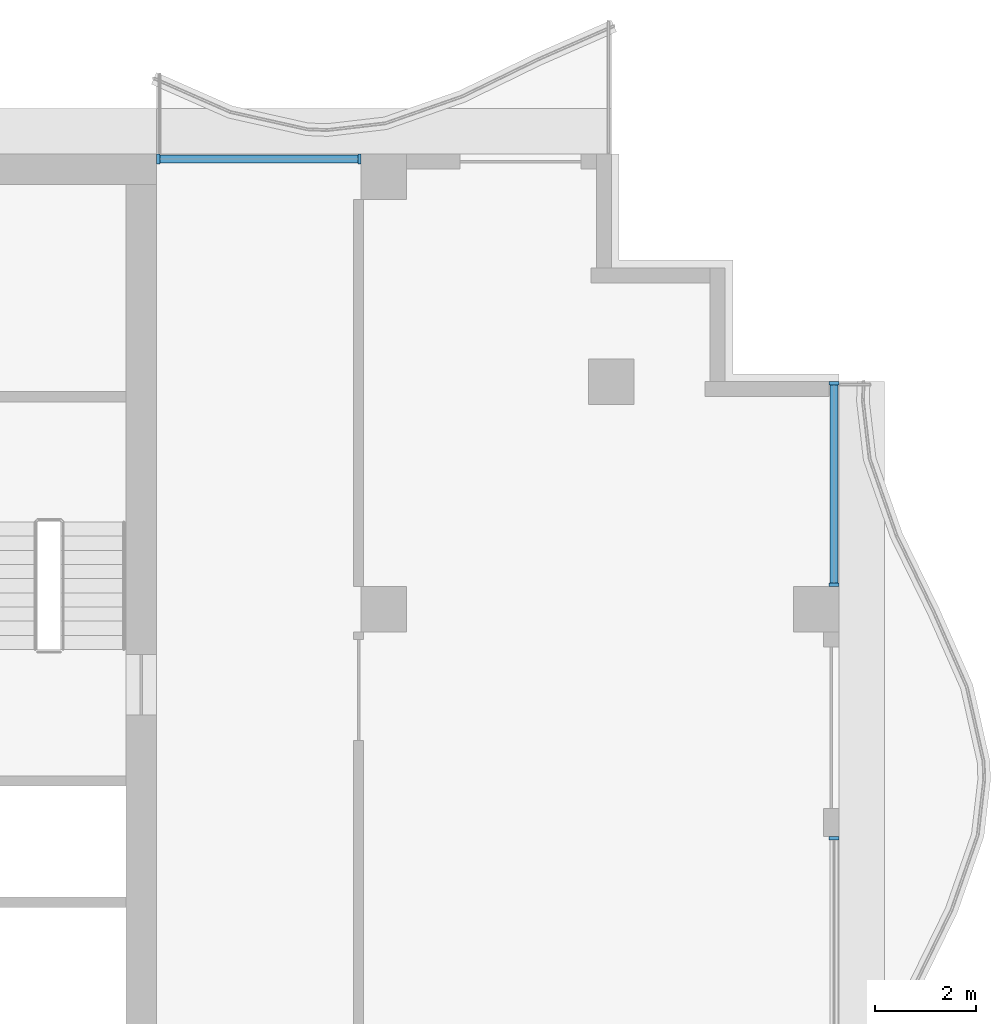
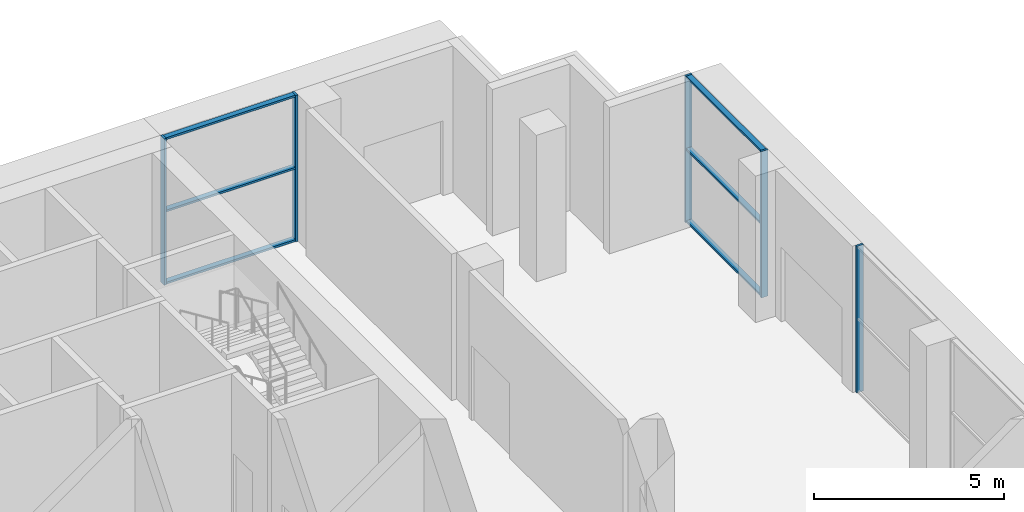
# One storey, part 5 of 14: 11 members, 3 elements without a shape of their own.
"""IFC4 building model written with IfcOpenShell, lengths in metres."""

from ifc_helpers import new_model, si_unit, direction, frame, origin, origin_2d, place, context, subcontext, project, spatial, rectangle, extrude, material, material_profile, profile_set, type_object, element, aggregate, save


model = new_model("IFC4")

# Units and contexts
model_context = context("Model", 3, precision=1e-05, world=origin(), true_north=direction((0.0, 1.0)))
body_context = subcontext(model_context, "Body", "Model", "MODEL_VIEW")
ifc_project = project(units=[si_unit("LENGTHUNIT", "METRE"), si_unit("AREAUNIT", "SQUARE_METRE"), si_unit("VOLUMEUNIT", "CUBIC_METRE"), si_unit("PLANEANGLEUNIT", "RADIAN"), si_unit("MASSUNIT", "GRAM", prefix="KILO")], contexts=[model_context])

# Site, building, storey
site_placement = place(None, origin())
site = spatial("IfcSite", under=ifc_project, at=site_placement, CompositionType="ELEMENT")
building_placement = place(site_placement, origin())
building = spatial("IfcBuilding", under=site, at=building_placement, Name="Orbiselva Terraces", CompositionType="ELEMENT")
storey_placement = place(building_placement, frame((0.0, 0.0, 284.4)))
storey = spatial("IfcBuildingStorey", under=building, at=storey_placement, Name="L72", CompositionType="ELEMENT", Elevation=284.4)

# Curtain wall, member
ifc_material_1 = material(Name="Clear low-e glazing in aluminium frame", Category="aluminium")
curtain_wall_type = type_object("IfcCurtainWallType", Name="ENV-CW-SKY", PredefinedType="NOTDEFINED", material=ifc_material_1)
curtain_wall_1_placement = place(storey_placement, origin())
curtain_wall_1 = element("IfcCurtainWall", 1, at=curtain_wall_1_placement, inside=storey, type_object=curtain_wall_type, Name="Curtain wall L72 E", PredefinedType="NOTDEFINED")
ifc_material_2 = material(Name="Anodised aluminium", Category="aluminium")
ifc_material_profile_1 = material_profile(ifc_material_2, rectangle(XDim=0.2, YDim=0.065, at=origin_2d()), Name="AL 65x200")
ifc_profile_set_1 = profile_set([ifc_material_profile_1], Name="Anodised aluminium")
member_type_1 = type_object("IfcMemberType", Name="ENV-CW-SKY-MULLION-65x200", PredefinedType="MULLION", material=ifc_profile_set_1)
member_1_placement = place(storey_placement, frame((26.9, 8.9675, 0.0), z_axis=(0.0, 0.0, 1.0), x_axis=(-1.0, 0.0, 0.0)))
member_1 = element("IfcMember", 2, at=member_1_placement, type_object=member_type_1, Name="CW3 mullion 2", PredefinedType="MULLION", context=body_context, shape_type="SweptSolid", body=[
    extrude(rectangle(XDim=0.2, YDim=0.065, at=origin_2d()), origin(), (0.0, 0.0, 1.0), 4.7),
])
aggregate(curtain_wall_1, [member_1])

# Curtain wall, members
curtain_wall_2_placement = place(storey_placement, origin())
curtain_wall_2 = element("IfcCurtainWall", 3, at=curtain_wall_2_placement, inside=storey, type_object=curtain_wall_type, Name="Curtain wall L72 E", PredefinedType="NOTDEFINED")
member_2_placement = place(storey_placement, frame((26.9, 13.9825, 0.0), z_axis=(0.0, 0.0, 1.0), x_axis=(-1.0, 0.0, 0.0)))
member_2 = element("IfcMember", 4, at=member_2_placement, type_object=member_type_1, Name="CW3 mullion 1", PredefinedType="MULLION", context=body_context, shape_type="SweptSolid", body=[
    extrude(rectangle(XDim=0.2, YDim=0.065, at=origin_2d()), origin(), (0.0, 0.0, 1.0), 4.7),
])
member_3_placement = place(storey_placement, frame((26.9, 17.9675, 0.0), z_axis=(0.0, 0.0, 1.0), x_axis=(-1.0, 0.0, 0.0)))
member_3 = element("IfcMember", 5, at=member_3_placement, type_object=member_type_1, Name="CW3 mullion 2", PredefinedType="MULLION", context=body_context, shape_type="SweptSolid", body=[
    extrude(rectangle(XDim=0.2, YDim=0.065, at=origin_2d()), origin(), (0.0, 0.0, 1.0), 4.7),
])

curtain_wall_3_placement = place(storey_placement, origin())
curtain_wall_3 = element("IfcCurtainWall", 6, at=curtain_wall_3_placement, inside=storey, type_object=curtain_wall_type, Name="Curtain wall L72 NE", PredefinedType="NOTDEFINED")
member_4_placement = place(storey_placement, frame((17.5175, 22.4, 0.0), z_axis=(0.0, 0.0, 1.0), x_axis=(0.0, -1.0, 0.0)))
member_4 = element("IfcMember", 7, at=member_4_placement, type_object=member_type_1, Name="CW3 mullion 1", PredefinedType="MULLION", context=body_context, shape_type="SweptSolid", body=[
    extrude(rectangle(XDim=0.2, YDim=0.065, at=origin_2d()), origin(), (0.0, 0.0, 1.0), 4.7),
])
member_5_placement = place(storey_placement, frame((13.5325, 22.4, 0.0), z_axis=(0.0, 0.0, 1.0), x_axis=(0.0, -1.0, 0.0)))
member_5 = element("IfcMember", 8, at=member_5_placement, type_object=member_type_1, Name="CW3 mullion 2", PredefinedType="MULLION", context=body_context, shape_type="SweptSolid", body=[
    extrude(rectangle(XDim=0.2, YDim=0.065, at=origin_2d()), origin(), (0.0, 0.0, 1.0), 4.7),
])

# Member
ifc_material_profile_2 = material_profile(ifc_material_2, rectangle(XDim=0.16, YDim=0.065, at=origin_2d()), Name="AL 65x160")
ifc_profile_set_2 = profile_set([ifc_material_profile_2], Name="Anodised aluminium")
member_type_2 = type_object("IfcMemberType", Name="ENV-CW-SKY-TRANSOM-65x160", PredefinedType="USERDEFINED", material=ifc_profile_set_2)
member_6_placement = place(storey_placement, frame((26.9, 14.015, 0.0325), z_axis=(0.0, 1.0, 0.0), x_axis=(-1.0, 0.0, 0.0)))
member_6 = element("IfcMember", 9, at=member_6_placement, type_object=member_type_2, Name="CW3 transom 1.1", ObjectType="TRANSOM", PredefinedType="USERDEFINED", context=body_context, shape_type="SweptSolid", body=[
    extrude(rectangle(XDim=0.16, YDim=0.065, at=origin_2d()), origin(), (0.0, 0.0, 1.0), 3.92),
])

member_7_placement = place(storey_placement, frame((26.9, 14.015, 2.35), z_axis=(0.0, 1.0, 0.0), x_axis=(-1.0, 0.0, 0.0)))
member_7 = element("IfcMember", 10, at=member_7_placement, type_object=member_type_2, Name="CW3 transom 1.2", ObjectType="TRANSOM", PredefinedType="USERDEFINED", context=body_context, shape_type="SweptSolid", body=[
    extrude(rectangle(XDim=0.16, YDim=0.065, at=origin_2d()), origin(), (0.0, 0.0, 1.0), 3.92),
])

member_8_placement = place(storey_placement, frame((26.9, 14.015, 4.6675), z_axis=(0.0, 1.0, 0.0), x_axis=(-1.0, 0.0, 0.0)))
member_8 = element("IfcMember", 11, at=member_8_placement, type_object=member_type_2, Name="CW3 transom 1.3", ObjectType="TRANSOM", PredefinedType="USERDEFINED", context=body_context, shape_type="SweptSolid", body=[
    extrude(rectangle(XDim=0.16, YDim=0.065, at=origin_2d()), origin(), (0.0, 0.0, 1.0), 3.92),
])

aggregate(curtain_wall_2, [member_2, member_3, member_6, member_7, member_8])

member_9_placement = place(storey_placement, frame((17.485, 22.4, 0.0325), z_axis=(-1.0, 0.0, 0.0), x_axis=(0.0, -1.0, 0.0)))
member_9 = element("IfcMember", 12, at=member_9_placement, type_object=member_type_2, Name="CW3 transom 1.1", ObjectType="TRANSOM", PredefinedType="USERDEFINED", context=body_context, shape_type="SweptSolid", body=[
    extrude(rectangle(XDim=0.16, YDim=0.065, at=origin_2d()), origin(), (0.0, 0.0, 1.0), 3.92),
])

member_10_placement = place(storey_placement, frame((17.485, 22.4, 2.35), z_axis=(-1.0, 0.0, 0.0), x_axis=(0.0, -1.0, 0.0)))
member_10 = element("IfcMember", 13, at=member_10_placement, type_object=member_type_2, Name="CW3 transom 1.2", ObjectType="TRANSOM", PredefinedType="USERDEFINED", context=body_context, shape_type="SweptSolid", body=[
    extrude(rectangle(XDim=0.16, YDim=0.065, at=origin_2d()), origin(), (0.0, 0.0, 1.0), 3.92),
])

member_11_placement = place(storey_placement, frame((17.485, 22.4, 4.6675), z_axis=(-1.0, 0.0, 0.0), x_axis=(0.0, -1.0, 0.0)))
member_11 = element("IfcMember", 14, at=member_11_placement, type_object=member_type_2, Name="CW3 transom 1.3", ObjectType="TRANSOM", PredefinedType="USERDEFINED", context=body_context, shape_type="SweptSolid", body=[
    extrude(rectangle(XDim=0.16, YDim=0.065, at=origin_2d()), origin(), (0.0, 0.0, 1.0), 3.92),
])

aggregate(curtain_wall_3, [member_4, member_5, member_9, member_10, member_11])

save(model, "model.ifc")
